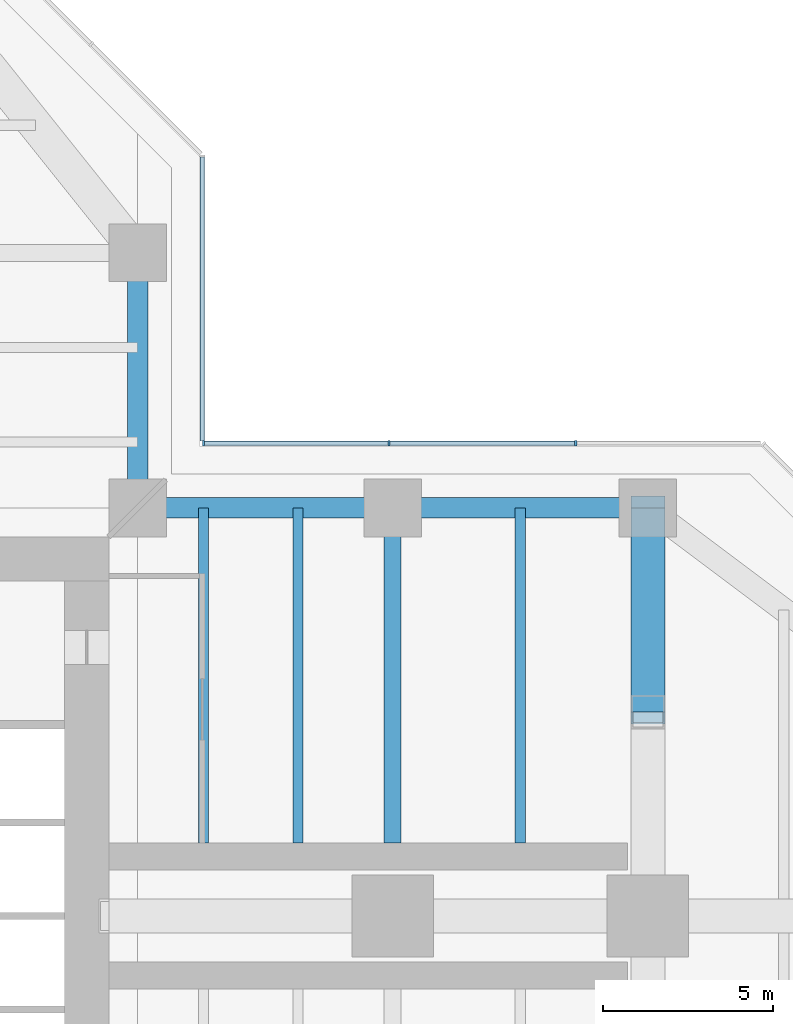
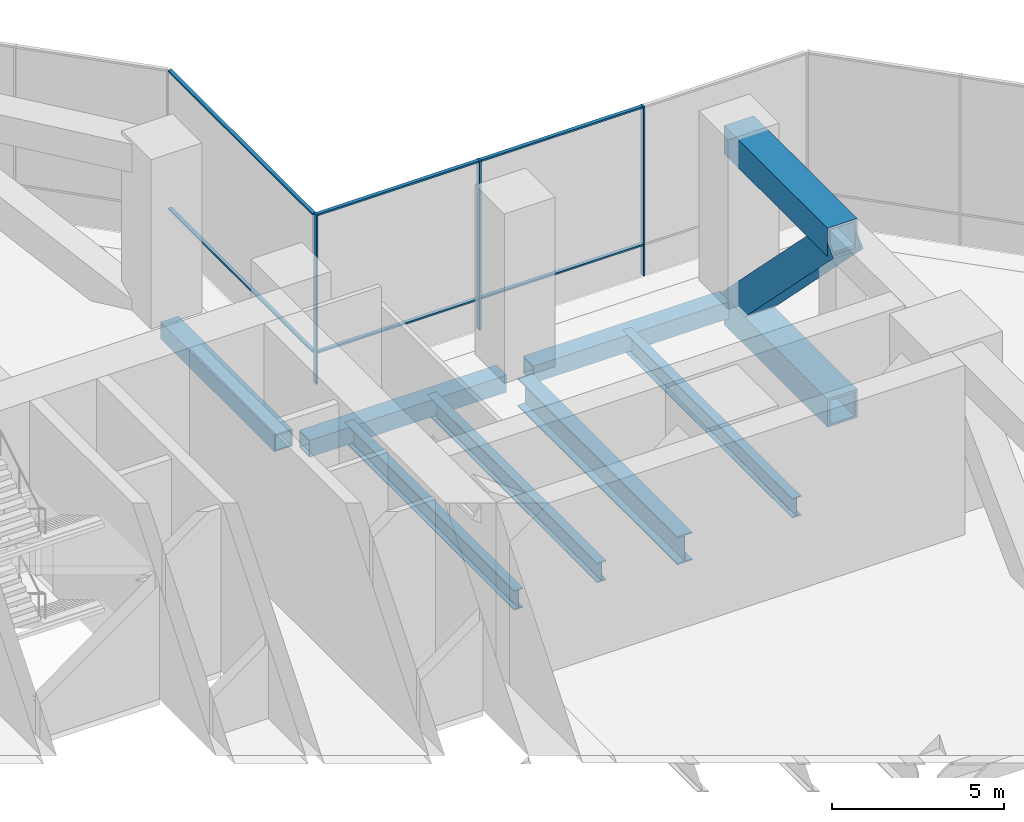
# One storey, part 9 of 19: 12 members, 7 beams, 2 elements without a shape of their own.
"""IFC4 building model written with IfcOpenShell, lengths in metres."""

from ifc_helpers import new_model, si_unit, direction, frame, origin, origin_2d, place, context, subcontext, project, spatial, rectangle, hollow_rectangle, i_section, extrude, material, material_profile, profile_set, type_object, element, aggregate, save


model = new_model("IFC4")

# Units and contexts
model_context = context("Model", 3, precision=1e-05, world=origin(), true_north=direction((0.0, 1.0)))
body_context = subcontext(model_context, "Body", "Model", "MODEL_VIEW")
ifc_project = project(units=[si_unit("LENGTHUNIT", "METRE"), si_unit("AREAUNIT", "SQUARE_METRE"), si_unit("VOLUMEUNIT", "CUBIC_METRE"), si_unit("PLANEANGLEUNIT", "RADIAN"), si_unit("MASSUNIT", "GRAM", prefix="KILO")], contexts=[model_context])

# Site, building, storey
site_placement = place(None, origin())
site = spatial("IfcSite", under=ifc_project, at=site_placement, CompositionType="ELEMENT")
building_placement = place(site_placement, origin())
building = spatial("IfcBuilding", under=site, at=building_placement, Name="Mizan Broadcast Tower", CompositionType="ELEMENT")
storey_placement = place(building_placement, frame((0.0, 0.0, 198.89990234375)))
storey = spatial("IfcBuildingStorey", under=building, at=storey_placement, Name="L46", CompositionType="ELEMENT", Elevation=198.89990234375)

# Members
ifc_material_1 = material(Name="Steel S460", Category="steel")
ifc_material_profile_1 = material_profile(ifc_material_1, hollow_rectangle(XDim=1.0, YDim=1.0, WallThickness=0.080078125, at=origin_2d()), Name="BOX 1000x1000x80")
ifc_profile_set_1 = profile_set([ifc_material_profile_1], Name="Steel S460")
member_type_1 = type_object("IfcMemberType", Name="BELT TRUSS BT3 CHORD BOX 1000x1000x80", PredefinedType="CHORD", material=ifc_profile_set_1)
for number, where, z_axis, x_axis, name in (
    (1, (27.0, 6.0, -0.679931640625), (0.0, 1.0, 0.0), (-1.0, 0.0, 0.0), "Belt truss BT3-E27 bottom chord 4"),
    (2, (27.0, 6.0, 5.3701171875), (0.0, 1.0, 0.0), (-1.0, 0.0, 0.0), "Belt truss BT3-E27 top chord 4"),
):
    element("IfcMember", number, at=place(storey_placement, frame(where, z_axis=z_axis, x_axis=x_axis)), inside=storey, type_object=member_type_1, Name=name, PredefinedType="CHORD", context=body_context, shape_type="SweptSolid", body=[
        extrude(hollow_rectangle(XDim=1.0, YDim=1.0, WallThickness=0.080078125, at=origin_2d()), origin(), (0.0, 0.0, 1.0), 6.0),
    ])
ifc_material_2 = material(Name="Steel S460", Category="steel")
ifc_material_profile_2 = material_profile(ifc_material_2, hollow_rectangle(XDim=1.0, YDim=1.0, WallThickness=0.06005859375, at=origin_2d()), Name="BOX 1000x1000x60")
ifc_profile_set_2 = profile_set([ifc_material_profile_2], Name="Steel S460")
member_type_2 = type_object("IfcMemberType", Name="BELT TRUSS BT3 DIAGONAL BOX 1000x1000x60", PredefinedType="BRACE", material=ifc_profile_set_2)
member_1_placement = place(storey_placement, frame((27.0, 12.0, -0.679931640625), z_axis=(0.0, -0.704163801085, 0.710037563261), x_axis=(1.0, 0.0, 0.0)))
element("IfcMember", 3, at=member_1_placement, inside=storey, type_object=member_type_2, Name="Belt truss BT3-E27 diagonal 4", PredefinedType="BRACE", context=body_context, shape_type="SweptSolid", body=[
    extrude(hollow_rectangle(XDim=1.0, YDim=1.0, WallThickness=0.06005859375, at=origin_2d()), origin(), (0.0, 0.0, 1.0), 8.520751953125),
])

# Beams
ifc_material_3 = material(Name="Steel S355", Category="steel")
ifc_material_profile_3 = material_profile(ifc_material_3, hollow_rectangle(XDim=0.60009765625, YDim=0.60009765625, WallThickness=0.0400390625, at=origin_2d()), Name="BOX 600x600x40")
ifc_profile_set_3 = profile_set([ifc_material_profile_3], Name="Steel S355")
beam_type_1 = type_object("IfcBeamType", Name="EDGE BEAM BOX 600x600x40", PredefinedType="SPANDREL", material=ifc_profile_set_3)
for number, where, z_axis, x_axis, name in (
    (4, (12.449951171875, 12.0, -0.47998046875), (1.0, 0.0, 0.0), (0.0, 1.0, 0.0), "Edge beam BOX 600x600x40 L46 east arm"),
    (5, (19.949951171875, 12.0, -0.47998046875), (1.0, 0.0, 0.0), (0.0, 1.0, 0.0), "Edge beam BOX 600x600x40 L46 east arm"),
    (6, (12.0, 12.449951171875, -0.47998046875), (0.0, 1.0, 0.0), (-1.0, 0.0, 0.0), "Edge beam BOX 600x600x40 L46 north arm"),
):
    element("IfcBeam", number, at=place(storey_placement, frame(where, z_axis=z_axis, x_axis=x_axis)), inside=storey, type_object=beam_type_1, Name=name, PredefinedType="SPANDREL", context=body_context, shape_type="SweptSolid", body=[
        extrude(hollow_rectangle(XDim=0.60009765625, YDim=0.60009765625, WallThickness=0.0400390625, at=origin_2d()), origin(), (0.0, 0.0, 1.0), 6.60009765625),
    ])
ifc_material_4 = material(Name="Steel S460", Category="steel")
ifc_material_profile_4 = material_profile(ifc_material_4, i_section(OverallWidth=0.5, OverallDepth=1.0, WebThickness=0.02490234375, FlangeThickness=0.050048828125, at=origin_2d()), Name="WPG 1000x500")
ifc_profile_set_4 = profile_set([ifc_material_profile_4], Name="Steel S460")
beam_type_2 = type_object("IfcBeamType", Name="GIRDER WPG 1000x500", PredefinedType="BEAM", material=ifc_profile_set_4)
beam_placement = place(storey_placement, frame((19.5, 11.408935546875, -0.679931640625), z_axis=(0.0, -1.0, 0.0), x_axis=(1.0, 0.0, 0.0)))
element("IfcBeam", 7, at=beam_placement, inside=storey, type_object=beam_type_2, Name="Girder WPG 1000x500 L46 east arm", PredefinedType="BEAM", context=body_context, shape_type="SweptSolid", body=[
    extrude(i_section(OverallWidth=0.5, OverallDepth=1.0, WebThickness=0.02490234375, FlangeThickness=0.050048828125, at=origin_2d()), origin(), (0.0, 0.0, 1.0), 9.259033203125),
])

# Curtain wall, members
ifc_material_5 = material(Name="Aluminium framed glazing", Category="aluminium")
curtain_wall_type = type_object("IfcCurtainWallType", Name="PLANT LOUVRE", PredefinedType="USERDEFINED", material=ifc_material_5)
curtain_wall_1_placement = place(storey_placement, origin())
curtain_wall_1 = element("IfcCurtainWall", 8, at=curtain_wall_1_placement, inside=storey, type_object=curtain_wall_type, Name="Plant louvre L46 E side", ObjectType="PLANT LOUVRE", PredefinedType="USERDEFINED")
ifc_material_6 = material(Name="Aluminium, pale anodised", Category="aluminium")
ifc_material_profile_5 = material_profile(ifc_material_6, rectangle(XDim=0.159912109375, YDim=0.06005859375, at=origin_2d()), Name="MULLION 160x60")
ifc_profile_set_5 = profile_set([ifc_material_profile_5], Name="Aluminium, pale anodised")
member_type_3 = type_object("IfcMemberType", Name="INNER SKIN MULLION 60x160", PredefinedType="MULLION", material=ifc_profile_set_5)
member_2_placement = place(storey_placement, frame((24.8818359375, 13.89990234375, 0.0), z_axis=(0.0, 0.0, 1.0), x_axis=(0.0, -1.0, 0.0)))
member_2 = element("IfcMember", 9, at=member_2_placement, type_object=member_type_3, Name="Plant louvre L46 E side mullion 2", PredefinedType="MULLION", context=body_context, shape_type="SweptSolid", body=[
    extrude(rectangle(XDim=0.159912109375, YDim=0.06005859375, at=origin_2d()), origin(), (0.0, 0.0, 1.0), 6.0),
])
member_3_placement = place(storey_placement, frame((19.390869140625, 13.89990234375, 0.0), z_axis=(0.0, 0.0, 1.0), x_axis=(0.0, -1.0, 0.0)))
member_3 = element("IfcMember", 10, at=member_3_placement, type_object=member_type_3, Name="Plant louvre L46 E side mullion 3", PredefinedType="MULLION", context=body_context, shape_type="SweptSolid", body=[
    extrude(rectangle(XDim=0.159912109375, YDim=0.06005859375, at=origin_2d()), origin(), (0.0, 0.0, 1.0), 6.0),
])
member_4_placement = place(storey_placement, frame((13.929931640625, 13.89990234375, 0.0), z_axis=(0.0, 0.0, 1.0), x_axis=(0.0, -1.0, 0.0)))
member_4 = element("IfcMember", 11, at=member_4_placement, type_object=member_type_3, Name="Plant louvre L46 E side mullion 4", PredefinedType="MULLION", context=body_context, shape_type="SweptSolid", body=[
    extrude(rectangle(XDim=0.159912109375, YDim=0.06005859375, at=origin_2d()), origin(), (0.0, 0.0, 1.0), 6.0),
])
ifc_material_7 = material(Name="Aluminium, pale anodised", Category="aluminium")
ifc_material_profile_6 = material_profile(ifc_material_7, rectangle(XDim=0.1201171875, YDim=0.06005859375, at=origin_2d()), Name="TRANSOM 120x60")
ifc_profile_set_6 = profile_set([ifc_material_profile_6], Name="Aluminium, pale anodised")
member_type_4 = type_object("IfcMemberType", Name="INNER SKIN TRANSOM 60x120", PredefinedType="USERDEFINED", material=ifc_profile_set_6)
member_5_placement = place(storey_placement, frame((24.851806640625, 13.89990234375, 1.10009765625), z_axis=(-1.0, 0.0, 0.0), x_axis=(0.0, -1.0, 0.0)))
member_5 = element("IfcMember", 12, at=member_5_placement, type_object=member_type_4, Name="Plant louvre L46 E side transom 2.1", ObjectType="TRANSOM", PredefinedType="USERDEFINED", context=body_context, shape_type="SweptSolid", body=[
    extrude(rectangle(XDim=0.1201171875, YDim=0.06005859375, at=origin_2d()), origin(), (0.0, 0.0, 1.0), 5.430908203125),
])
member_6_placement = place(storey_placement, frame((24.851806640625, 13.89990234375, 5.97021484375), z_axis=(-1.0, 0.0, 0.0), x_axis=(0.0, -1.0, 0.0)))
member_6 = element("IfcMember", 13, at=member_6_placement, type_object=member_type_4, Name="Plant louvre L46 E side transom 2.2", ObjectType="TRANSOM", PredefinedType="USERDEFINED", context=body_context, shape_type="SweptSolid", body=[
    extrude(rectangle(XDim=0.1201171875, YDim=0.06005859375, at=origin_2d()), origin(), (0.0, 0.0, 1.0), 5.430908203125),
])
member_7_placement = place(storey_placement, frame((19.36083984375, 13.89990234375, 1.10009765625), z_axis=(-1.0, 0.0, 0.0), x_axis=(0.0, -1.0, 0.0)))
member_7 = element("IfcMember", 14, at=member_7_placement, type_object=member_type_4, Name="Plant louvre L46 E side transom 3.1", ObjectType="TRANSOM", PredefinedType="USERDEFINED", context=body_context, shape_type="SweptSolid", body=[
    extrude(rectangle(XDim=0.1201171875, YDim=0.06005859375, at=origin_2d()), origin(), (0.0, 0.0, 1.0), 5.40087890625),
])
member_8_placement = place(storey_placement, frame((19.36083984375, 13.89990234375, 5.97021484375), z_axis=(-1.0, 0.0, 0.0), x_axis=(0.0, -1.0, 0.0)))
member_8 = element("IfcMember", 15, at=member_8_placement, type_object=member_type_4, Name="Plant louvre L46 E side transom 3.2", ObjectType="TRANSOM", PredefinedType="USERDEFINED", context=body_context, shape_type="SweptSolid", body=[
    extrude(rectangle(XDim=0.1201171875, YDim=0.06005859375, at=origin_2d()), origin(), (0.0, 0.0, 1.0), 5.40087890625),
])
aggregate(curtain_wall_1, [member_2, member_3, member_4, member_5, member_6, member_7, member_8])

curtain_wall_2_placement = place(storey_placement, origin())
curtain_wall_2 = element("IfcCurtainWall", 16, at=curtain_wall_2_placement, inside=storey, type_object=curtain_wall_type, Name="Plant louvre L46 N side", ObjectType="PLANT LOUVRE", PredefinedType="USERDEFINED")
member_9_placement = place(storey_placement, frame((13.89990234375, 13.9599609375, 1.10009765625), z_axis=(0.0, 1.0, 0.0), x_axis=(-1.0, 0.0, 0.0)))
member_9 = element("IfcMember", 17, at=member_9_placement, type_object=member_type_4, Name="Plant louvre L46 N side transom 1.1", ObjectType="TRANSOM", PredefinedType="USERDEFINED", context=body_context, shape_type="SweptSolid", body=[
    extrude(rectangle(XDim=0.1201171875, YDim=0.06005859375, at=origin_2d()), origin(), (0.0, 0.0, 1.0), 8.352783203125),
])
member_10_placement = place(storey_placement, frame((13.89990234375, 13.9599609375, 5.97021484375), z_axis=(0.0, 1.0, 0.0), x_axis=(-1.0, 0.0, 0.0)))
member_10 = element("IfcMember", 18, at=member_10_placement, type_object=member_type_4, Name="Plant louvre L46 N side transom 1.2", ObjectType="TRANSOM", PredefinedType="USERDEFINED", context=body_context, shape_type="SweptSolid", body=[
    extrude(rectangle(XDim=0.1201171875, YDim=0.06005859375, at=origin_2d()), origin(), (0.0, 0.0, 1.0), 8.352783203125),
])
aggregate(curtain_wall_2, [member_9, member_10])

# Beams
ifc_material_8 = material(Name="Steel S355", Category="steel")
ifc_material_profile_7 = material_profile(ifc_material_8, i_section(OverallWidth=0.300048828125, OverallDepth=0.68994140625, WebThickness=0.014404296875, FlangeThickness=0.027099609375, FilletRadius=0.027099609375, at=origin_2d()), Name="HEA 700")
ifc_profile_set_7 = profile_set([ifc_material_profile_7], Name="Steel S355")
beam_type_3 = type_object("IfcBeamType", Name="SECONDARY BEAM HEA 700", PredefinedType="JOIST", material=ifc_profile_set_7)
for number, where, z_axis, x_axis, name in (
    (19, (13.933349609375, 12.0, -0.52490234375), (0.0, -1.0, 0.0), (1.0, 0.0, 0.0), "Secondary beam HEA 700 L46 east arm"),
    (20, (16.716552734375, 12.0, -0.52490234375), (0.0, -1.0, 0.0), (1.0, 0.0, 0.0), "Secondary beam HEA 700 L46 east arm"),
    (21, (23.25, 12.0, -0.52490234375), (0.0, -1.0, 0.0), (1.0, 0.0, 0.0), "Secondary beam HEA 700 L46 east arm"),
):
    element("IfcBeam", number, at=place(storey_placement, frame(where, z_axis=z_axis, x_axis=x_axis)), inside=storey, type_object=beam_type_3, Name=name, PredefinedType="JOIST", context=body_context, shape_type="SweptSolid", body=[
        extrude(i_section(OverallWidth=0.300048828125, OverallDepth=0.68994140625, WebThickness=0.014404296875, FlangeThickness=0.027099609375, FilletRadius=0.027099609375, at=origin_2d()), origin(), (0.0, 0.0, 1.0), 9.85009765625),
    ])

save(model, "model.ifc")
